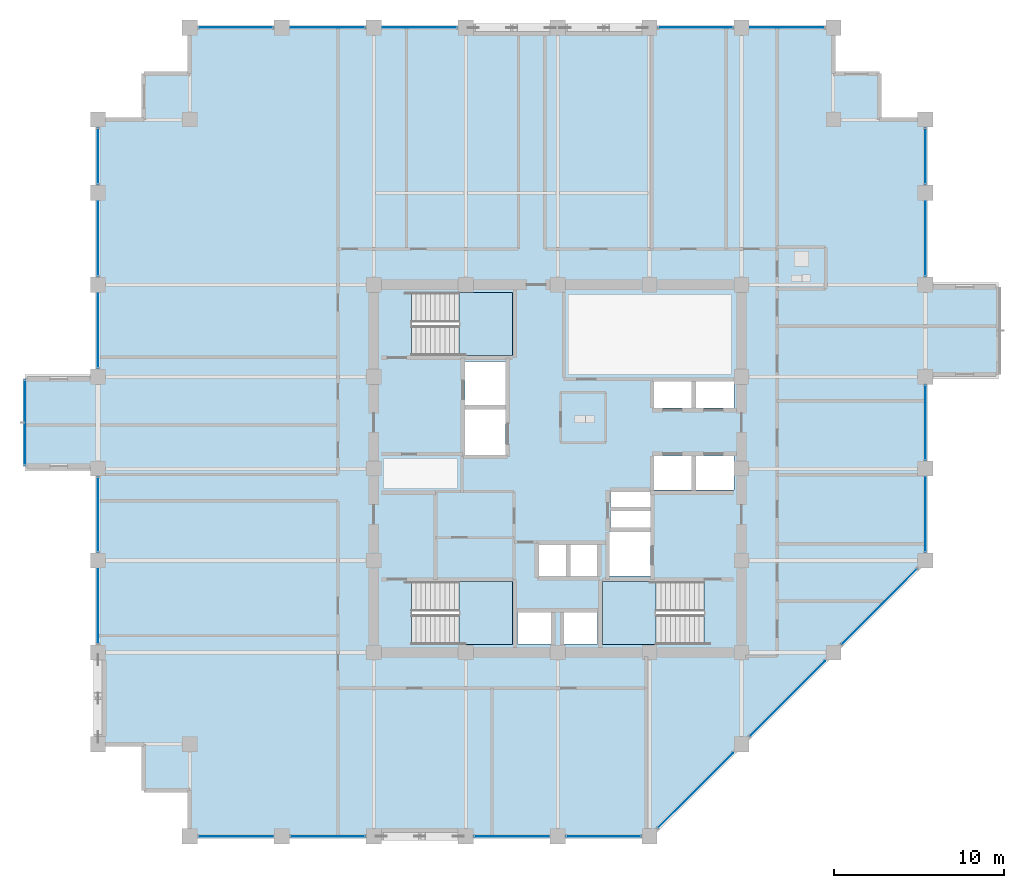
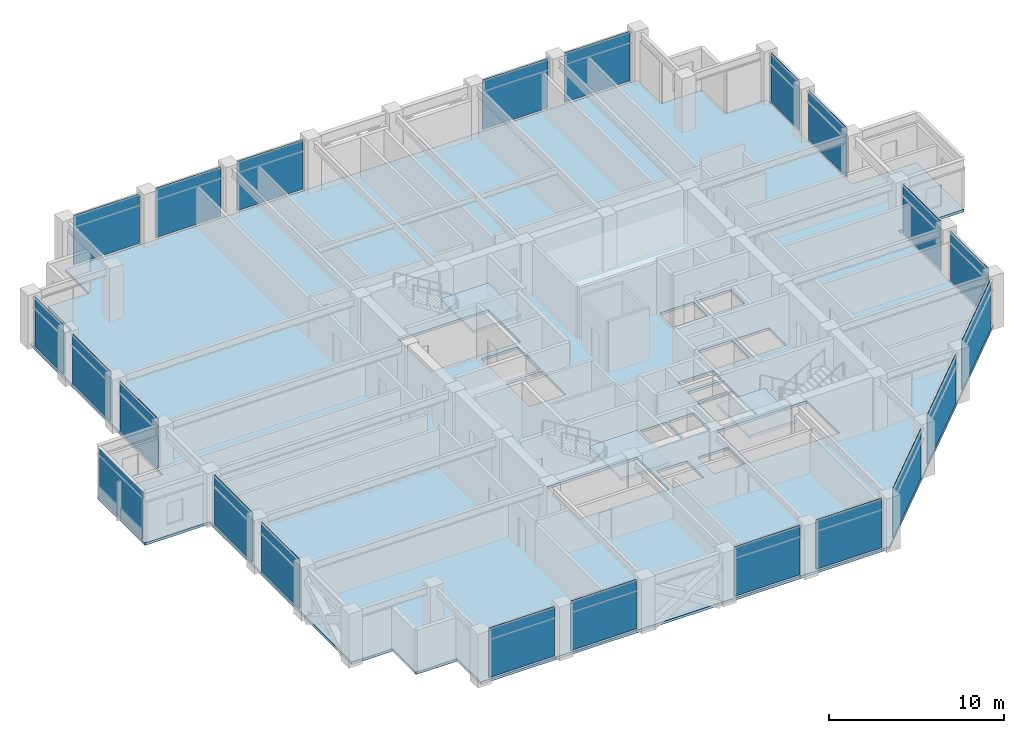
# One storey, part 21 of 28: 22 plates, 4 slabs, 13 elements without a shape of their own.
"""IFC4 building model written with IfcOpenShell, lengths in metres."""

import ifcopenshell
import ifcopenshell.guid

model = None  # the IFC model being written
_history = None  # IfcOwnerHistory: only IFC2X3 demands one
_inside = {}  # id of a spatial element -> (the spatial element, [elements in it])
_under = {}  # id of a project, library or spatial element -> (it, [spatial elements below it])
_declared = {}  # id of a project -> (the project, [libraries it declares])
_typed = {}  # id of a type object -> (the type object, [elements of that type])
_made_of = {}  # id of a material, layer set ... -> (it, [elements and type objects made of it])


def new_model(schema):
    """Start an empty IFC model of exactly this schema.

    Asked for "IFC4X3", IfcOpenShell would pick the latest addendum, in which some entities
    have other attributes; the version numbers below select the first issue.
    IFC2X3 requires an IfcOwnerHistory on every rooted entity: one is made here for all.
    """
    global model, _history
    if schema == "IFC4X3":
        model = ifcopenshell.file(schema_version=(4, 3, 0, 0))
    else:
        model = ifcopenshell.file(schema=schema)
    _inside.clear()
    _under.clear()
    _declared.clear()
    _typed.clear()
    _made_of.clear()
    _history = None
    if model.schema == "IFC2X3":
        org = make("IfcOrganization", Name="unknown")
        user = make(
            "IfcPersonAndOrganization",
            ThePerson=make("IfcPerson", FamilyName="unknown"),
            TheOrganization=org,
        )
        app = make(
            "IfcApplication",
            ApplicationDeveloper=org,
            Version="unknown",
            ApplicationFullName="unknown",
            ApplicationIdentifier="unknown",
        )
        _history = make(
            "IfcOwnerHistory",
            OwningUser=user,
            OwningApplication=app,
            ChangeAction="ADDED",
            CreationDate=0,
        )
    return model


def make(cls, **values):
    """One entity of the class cls with the attributes given. An attribute that is None is left unset."""
    return model.create_entity(
        cls, **{name: value for name, value in values.items() if value is not None}
    )


def rooted(cls, **values):
    """An entity with a GlobalId (a new one), such as an element, a storey or a relation."""
    return make(cls, GlobalId=ifcopenshell.guid.new(), OwnerHistory=_history, **values)


def si_unit(unit_type, name, prefix=None):
    """IfcSIUnit, for example si_unit("LENGTHUNIT", "METRE", prefix="MILLI")."""
    return make("IfcSIUnit", UnitType=unit_type, Prefix=prefix, Name=name)


def assignment(units):
    """IfcUnitAssignment: the units of a project."""
    return None if units is None else make("IfcUnitAssignment", Units=units)


def point(xyz):
    """IfcCartesianPoint."""
    return None if xyz is None else make("IfcCartesianPoint", Coordinates=xyz)


def direction(xyz):
    """IfcDirection."""
    return None if xyz is None else make("IfcDirection", DirectionRatios=xyz)


def frame(location, z_axis=None, x_axis=None):
    """IfcAxis2Placement3D, a coordinate frame: its origin and axes. An axis left out is left unset."""
    return make(
        "IfcAxis2Placement3D",
        Location=point(location),
        Axis=direction(z_axis),
        RefDirection=direction(x_axis),
    )


def frame_2d(location, x_axis=None):
    """IfcAxis2Placement2D, a coordinate frame in the plane: its origin and x axis."""
    return make(
        "IfcAxis2Placement2D", Location=point(location), RefDirection=direction(x_axis)
    )


def origin():
    """The frame at (0, 0, 0) with its axes left unset."""
    return frame((0.0, 0.0, 0.0))


def place(relative_to, where):
    """IfcLocalPlacement: puts the frame where relative to a parent placement (None: the world)."""
    return make(
        "IfcLocalPlacement", PlacementRelTo=relative_to, RelativePlacement=where
    )


def context(
    kind, dimensions, precision=None, world=None, true_north=None, identifier=None
):
    """IfcGeometricRepresentationContext, for example the 3D "Model" context."""
    return make(
        "IfcGeometricRepresentationContext",
        ContextIdentifier=identifier,
        ContextType=kind,
        CoordinateSpaceDimension=dimensions,
        Precision=precision,
        WorldCoordinateSystem=world,
        TrueNorth=true_north,
    )


def subcontext(parent, identifier, kind, view, scale=None):
    """IfcGeometricRepresentationSubContext, for example "Body" below "Model"."""
    return make(
        "IfcGeometricRepresentationSubContext",
        ContextIdentifier=identifier,
        ContextType=kind,
        ParentContext=parent,
        TargetScale=scale,
        TargetView=view,
    )


def project(units=None, contexts=None):
    """IfcProject with its units and contexts."""
    return rooted(
        "IfcProject",
        Name="project",
        RepresentationContexts=contexts,
        UnitsInContext=assignment(units),
    )


def spatial(cls, under=None, at=None, **own):
    """A site, building, storey or space (cls), placed at a placement, below another one or the project."""
    s = rooted(cls, ObjectPlacement=at, **own)
    if under is not None:
        _under.setdefault(under.id(), (under, []))[1].append(s)
    return s


def polyline(points):
    """IfcPolyline through the points."""
    return make("IfcPolyline", Points=[point(p) for p in points])


def profile(cls, at=None, kind="AREA", **sizes):
    """A parametric profile (cls). Its sizes go by their IFC names, for example OverallWidth=200.0."""
    return make(cls, ProfileType=kind, Position=at, **sizes)


def rectangle(**sizes):
    """IfcRectangleProfileDef."""
    return profile("IfcRectangleProfileDef", **sizes)


def outline(outer, holes=None, kind="AREA"):
    """IfcArbitraryClosedProfileDef: a profile drawn as a closed curve; with holes, ...WithVoids."""
    if holes is None:
        return make("IfcArbitraryClosedProfileDef", ProfileType=kind, OuterCurve=outer)
    return make(
        "IfcArbitraryProfileDefWithVoids",
        ProfileType=kind,
        OuterCurve=outer,
        InnerCurves=holes,
    )


def extrude(swept, where, along, depth):
    """IfcExtrudedAreaSolid: the profile swept, set in the frame where, extruded along a direction by depth."""
    return make(
        "IfcExtrudedAreaSolid",
        SweptArea=swept,
        Position=where,
        ExtrudedDirection=direction(along),
        Depth=depth,
    )


def shape(context_of_items, identifier, shape_type, items):
    """IfcShapeRepresentation: the items that make up one representation, for example the "Body"."""
    return make(
        "IfcShapeRepresentation",
        ContextOfItems=context_of_items,
        RepresentationIdentifier=identifier,
        RepresentationType=shape_type,
        Items=items,
    )


def material(Name=None, Category=None):
    """IfcMaterial."""
    return make("IfcMaterial", Name=Name, Category=Category)


def layer(
    of_material, thickness, ventilated=None, Name=None, Category=None, Priority=None
):
    """IfcMaterialLayer: one layer of a wall or slab, of a material (None: an air gap)."""
    return make(
        "IfcMaterialLayer",
        Material=of_material,
        LayerThickness=thickness,
        IsVentilated=ventilated,
        Name=Name,
        Category=Category,
        Priority=Priority,
    )


def layer_set(layers, Name=None):
    """IfcMaterialLayerSet."""
    return make("IfcMaterialLayerSet", MaterialLayers=layers, LayerSetName=Name)


def made_of(thing, what):
    """Note that an element or type object is made of a material, layer set ...; save() writes the relation."""
    if what is not None:
        _made_of.setdefault(what.id(), (what, []))[1].append(thing)
    return thing


def type_object(cls, material=None, **own):
    """A type object (cls), such as IfcWallType, which elements share."""
    return made_of(rooted(cls, **own), material)


def element(
    cls,
    number,
    at=None,
    inside=None,
    cuts=None,
    type_object=None,
    material=None,
    context=None,
    identifier="Body",
    shape_type=None,
    held_by="IfcProductDefinitionShape",
    body=None,
    shapes=None,
    **own,
):
    """One element of the class cls, such as IfcWall. Its Tag is "e" and its number.

    at: its placement. inside: the storey or other place that contains it. cuts: it is an
    opening in that element (IfcRelVoidsElement). A single representation is given by context,
    identifier, shape_type and body (its items); several are given by shapes. held_by: the class
    of the entity that holds the representations. save() writes the other relations.
    """
    e = rooted(cls, Tag="e%d" % number, ObjectPlacement=at, **own)
    if body is not None:
        shapes = [shape(context, identifier, shape_type, body)]
    if shapes is not None:
        e.Representation = make(held_by, Representations=shapes)
    if inside is not None:
        _inside.setdefault(inside.id(), (inside, []))[1].append(e)
    if cuts is not None:
        rooted(
            "IfcRelVoidsElement", RelatingBuildingElement=cuts, RelatedOpeningElement=e
        )
    if type_object is not None:
        _typed.setdefault(type_object.id(), (type_object, []))[1].append(e)
    return made_of(e, material)


def aggregate(whole, parts):
    """IfcRelAggregates: a whole, such as a stair, and the parts it consists of."""
    return rooted("IfcRelAggregates", RelatingObject=whole, RelatedObjects=parts)


def save(model, path):
    """Write the relations noted so far, then the file.

    IfcRelAggregates (storeys below a building ...), IfcRelContainedInSpatialStructure (elements
    in a storey), IfcRelDefinesByType, IfcRelAssociatesMaterial and IfcRelDeclares: one each for
    every whole, place, type object, material and project.
    """
    for whole, parts in _under.values():
        aggregate(whole, parts)
    for where, things in _inside.values():
        rooted(
            "IfcRelContainedInSpatialStructure",
            RelatedElements=things,
            RelatingStructure=where,
        )
    for kind, things in _typed.values():
        rooted("IfcRelDefinesByType", RelatedObjects=things, RelatingType=kind)
    for what, things in _made_of.values():
        rooted("IfcRelAssociatesMaterial", RelatedObjects=things, RelatingMaterial=what)
    for by, libraries in _declared.values():
        rooted("IfcRelDeclares", RelatingContext=by, RelatedDefinitions=libraries)
    model.write(path)


model = new_model("IFC4")

# Units and contexts
model_context = context("Model", 3, precision=1e-05, world=origin(), true_north=direction((0.0, 1.0)))
body_context = subcontext(model_context, "Body", "Model", "MODEL_VIEW")
ifc_project = project(units=[si_unit("LENGTHUNIT", "METRE"), si_unit("AREAUNIT", "SQUARE_METRE"), si_unit("VOLUMEUNIT", "CUBIC_METRE"), si_unit("PLANEANGLEUNIT", "RADIAN"), si_unit("MASSUNIT", "GRAM", prefix="KILO")], contexts=[model_context])

# Site, building, storey
site_placement = place(None, origin())
site = spatial("IfcSite", under=ifc_project, at=site_placement, CompositionType="ELEMENT")
building_placement = place(site_placement, origin())
building = spatial("IfcBuilding", under=site, at=building_placement, Name="Surkhivell Harbour Commons", CompositionType="ELEMENT")
storey_placement = place(building_placement, frame((0.0, 0.0, 174.75)))
storey = spatial("IfcBuildingStorey", under=building, at=storey_placement, Name="L45", CompositionType="ELEMENT", Elevation=174.75)

# Curtain wall, plate
ifc_material_1 = material(Name="Anodised pale-metal aluminium and insulated glazing", Category="aluminium")
ifc_layer_1 = layer(ifc_material_1, 0.1650390625)
ifc_layer_set_1 = layer_set([ifc_layer_1], Name="Anodised pale-metal aluminium and insulated glazing")
curtain_wall_type_1 = type_object("IfcCurtainWallType", Name="CW-SYS-BOX", PredefinedType="NOTDEFINED", material=ifc_layer_set_1)
curtain_wall_1_placement = place(storey_placement, origin())
curtain_wall_1 = element("IfcCurtainWall", 1, at=curtain_wall_1_placement, inside=storey, type_object=curtain_wall_type_1, Name="L45 Curtain Wall CW-L45-BOX02", PredefinedType="NOTDEFINED")
ifc_material_2 = material(Name="Triple-glazed bay-cluster vision glass", Category="glass")
ifc_layer_2 = layer(ifc_material_2, 0.028076171875)
ifc_layer_set_2 = layer_set([ifc_layer_2], Name="Triple-glazed bay-cluster vision glass")
plate_type_1 = type_object("IfcPlateType", Name="CWP-GLZ-28", PredefinedType="CURTAIN_PANEL", material=ifc_layer_set_2)
plate_1_placement = place(storey_placement, frame((-31.300048828125, 0.219970703125, 0.1298828125), z_axis=(0.0, 0.0, 1.0), x_axis=(0.0, 1.0, 0.0)))
plate_1 = element("IfcPlate", 2, at=plate_1_placement, type_object=plate_type_1, Name="CW-BOX panel 1.1", PredefinedType="CURTAIN_PANEL", context=body_context, shape_type="SweptSolid", body=[
    extrude(rectangle(XDim=4.9599609375, YDim=0.028076171875, at=frame_2d((2.47998046875, 0.0))), origin(), (0.0, 0.0, 1.0), 3.31005859375),
])
aggregate(curtain_wall_1, [plate_1])

# Curtain wall, plates
ifc_layer_3 = layer(ifc_material_1, 0.18994140625)
ifc_layer_set_3 = layer_set([ifc_layer_3], Name="Anodised pale-metal aluminium and insulated glazing")
curtain_wall_type_2 = type_object("IfcCurtainWallType", Name="CW-SYS-Z3", PredefinedType="NOTDEFINED", material=ifc_layer_set_3)
curtain_wall_2_placement = place(storey_placement, origin())
curtain_wall_2 = element("IfcCurtainWall", 3, at=curtain_wall_2_placement, inside=storey, type_object=curtain_wall_type_2, Name="L45 Curtain Wall CW-L45-E00S1", PredefinedType="NOTDEFINED")
ifc_material_3 = material(Name="High-pressure typhoon laminated vision glass", Category="glass")
ifc_layer_4 = layer(ifc_material_3, 0.035888671875)
ifc_layer_set_4 = layer_set([ifc_layer_4], Name="High-pressure typhoon laminated vision glass")
plate_type_2 = type_object("IfcPlateType", Name="CWP-GLZ-36", PredefinedType="CURTAIN_PANEL", material=ifc_layer_set_4)
plate_2_placement = place(storey_placement, frame((-21.072998046875, -21.60009765625, 0.1298828125), z_axis=(0.0, 0.0, 1.0), x_axis=(1.0, 0.0, 0.0)))
plate_2 = element("IfcPlate", 4, at=plate_2_placement, type_object=plate_type_2, Name="CW-Z3 panel 1.1", PredefinedType="CURTAIN_PANEL", context=body_context, shape_type="SweptSolid", body=[
    extrude(rectangle(XDim=4.345947265625, YDim=0.035888671875, at=frame_2d((2.1728515625, 0.0))), origin(), (0.0, 0.0, 1.0), 3.440185546875),
])
plate_3_placement = place(storey_placement, frame((-15.673095703125, -21.60009765625, 0.1298828125), z_axis=(0.0, 0.0, 1.0), x_axis=(1.0, 0.0, 0.0)))
plate_3 = element("IfcPlate", 5, at=plate_3_placement, type_object=plate_type_2, Name="CW-Z3 panel 2.1", PredefinedType="CURTAIN_PANEL", context=body_context, shape_type="SweptSolid", body=[
    extrude(rectangle(XDim=4.34619140625, YDim=0.035888671875, at=frame_2d((2.173095703125, 0.0))), origin(), (0.0, 0.0, 1.0), 3.440185546875),
])
aggregate(curtain_wall_2, [plate_2, plate_3])

curtain_wall_3_placement = place(storey_placement, origin())
curtain_wall_3 = element("IfcCurtainWall", 6, at=curtain_wall_3_placement, inside=storey, type_object=curtain_wall_type_2, Name="L45 Curtain Wall CW-L45-E00S2", PredefinedType="NOTDEFINED")
plate_4_placement = place(storey_placement, frame((-4.873046875, -21.60009765625, 0.1298828125), z_axis=(0.0, 0.0, 1.0), x_axis=(1.0, 0.0, 0.0)))
plate_4 = element("IfcPlate", 7, at=plate_4_placement, type_object=plate_type_2, Name="CW-Z3 panel 1.1", PredefinedType="CURTAIN_PANEL", context=body_context, shape_type="SweptSolid", body=[
    extrude(rectangle(XDim=4.345947265625, YDim=0.035888671875, at=frame_2d((2.1728515625, 0.0))), origin(), (0.0, 0.0, 1.0), 3.440185546875),
])
plate_5_placement = place(storey_placement, frame((0.527099609375, -21.60009765625, 0.1298828125), z_axis=(0.0, 0.0, 1.0), x_axis=(1.0, 0.0, 0.0)))
plate_5 = element("IfcPlate", 8, at=plate_5_placement, type_object=plate_type_2, Name="CW-Z3 panel 2.1", PredefinedType="CURTAIN_PANEL", context=body_context, shape_type="SweptSolid", body=[
    extrude(rectangle(XDim=4.345947265625, YDim=0.035888671875, at=frame_2d((2.1728515625, 0.0))), origin(), (0.0, 0.0, 1.0), 3.440185546875),
])
aggregate(curtain_wall_3, [plate_4, plate_5])

curtain_wall_4_placement = place(storey_placement, origin())
curtain_wall_4 = element("IfcCurtainWall", 9, at=curtain_wall_4_placement, inside=storey, type_object=curtain_wall_type_2, Name="L45 Curtain Wall CW-L45-E01", PredefinedType="NOTDEFINED")
plate_6_placement = place(storey_placement, frame((5.90478515625, -21.09521484375, 0.1298828125), z_axis=(0.0, 0.0, 1.0), x_axis=(0.707106781187, 0.707106781187, 0.0)))
plate_6 = element("IfcPlate", 10, at=plate_6_placement, type_object=plate_type_2, Name="CW-Z3 panel 1.1", PredefinedType="CURTAIN_PANEL", context=body_context, shape_type="SweptSolid", body=[
    extrude(rectangle(XDim=6.209228515625, YDim=0.035888671875, at=frame_2d((3.1044921875, 0.0))), origin(), (0.0, 0.0, 1.0), 3.440185546875),
])
plate_7_placement = place(storey_placement, frame((11.3046875, -15.6953125, 0.1298828125), z_axis=(0.0, 0.0, 1.0), x_axis=(0.707106781187, 0.707106781187, 0.0)))
plate_7 = element("IfcPlate", 11, at=plate_7_placement, type_object=plate_type_2, Name="CW-Z3 panel 2.1", PredefinedType="CURTAIN_PANEL", context=body_context, shape_type="SweptSolid", body=[
    extrude(rectangle(XDim=6.209228515625, YDim=0.035888671875, at=frame_2d((3.1044921875, 0.0))), origin(), (0.0, 0.0, 1.0), 3.440185546875),
])
plate_8_placement = place(storey_placement, frame((16.70458984375, -10.29541015625, 0.1298828125), z_axis=(0.0, 0.0, 1.0), x_axis=(0.707106781187, 0.707106781187, 0.0)))
plate_8 = element("IfcPlate", 12, at=plate_8_placement, type_object=plate_type_2, Name="CW-Z3 panel 3.1", PredefinedType="CURTAIN_PANEL", context=body_context, shape_type="SweptSolid", body=[
    extrude(rectangle(XDim=6.209228515625, YDim=0.035888671875, at=frame_2d((3.1044921875, 0.0))), origin(), (0.0, 0.0, 1.0), 3.440185546875),
])
aggregate(curtain_wall_4, [plate_6, plate_7, plate_8])

curtain_wall_5_placement = place(storey_placement, origin())
curtain_wall_5 = element("IfcCurtainWall", 13, at=curtain_wall_5_placement, inside=storey, type_object=curtain_wall_type_2, Name="L45 Curtain Wall CW-L45-E02R1", PredefinedType="NOTDEFINED")
plate_9_placement = place(storey_placement, frame((21.60009765625, -4.873046875, 0.1298828125), z_axis=(0.0, 0.0, 1.0), x_axis=(0.0, 1.0, 0.0)))
plate_9 = element("IfcPlate", 14, at=plate_9_placement, type_object=plate_type_2, Name="CW-Z3 panel 1.1", PredefinedType="CURTAIN_PANEL", context=body_context, shape_type="SweptSolid", body=[
    extrude(rectangle(XDim=4.345947265625, YDim=0.035888671875, at=frame_2d((2.1728515625, 0.0))), origin(), (0.0, 0.0, 1.0), 3.440185546875),
])
plate_10_placement = place(storey_placement, frame((21.60009765625, 0.527099609375, 0.1298828125), z_axis=(0.0, 0.0, 1.0), x_axis=(0.0, 1.0, 0.0)))
plate_10 = element("IfcPlate", 15, at=plate_10_placement, type_object=plate_type_2, Name="CW-Z3 panel 2.1", PredefinedType="CURTAIN_PANEL", context=body_context, shape_type="SweptSolid", body=[
    extrude(rectangle(XDim=4.345947265625, YDim=0.035888671875, at=frame_2d((2.1728515625, 0.0))), origin(), (0.0, 0.0, 1.0), 3.440185546875),
])
aggregate(curtain_wall_5, [plate_9, plate_10])

curtain_wall_6_placement = place(storey_placement, origin())
curtain_wall_6 = element("IfcCurtainWall", 16, at=curtain_wall_6_placement, inside=storey, type_object=curtain_wall_type_2, Name="L45 Curtain Wall CW-L45-E02R2", PredefinedType="NOTDEFINED")
plate_11_placement = place(storey_placement, frame((21.60009765625, 11.326904296875, 0.1298828125), z_axis=(0.0, 0.0, 1.0), x_axis=(0.0, 1.0, 0.0)))
plate_11 = element("IfcPlate", 17, at=plate_11_placement, type_object=plate_type_2, Name="CW-Z3 panel 1.1", PredefinedType="CURTAIN_PANEL", context=body_context, shape_type="SweptSolid", body=[
    extrude(rectangle(XDim=4.34619140625, YDim=0.035888671875, at=frame_2d((2.173095703125, 0.0))), origin(), (0.0, 0.0, 1.0), 3.440185546875),
])
plate_12_placement = place(storey_placement, frame((21.60009765625, 16.72705078125, 0.1298828125), z_axis=(0.0, 0.0, 1.0), x_axis=(0.0, 1.0, 0.0)))
plate_12 = element("IfcPlate", 18, at=plate_12_placement, type_object=plate_type_2, Name="CW-Z3 panel 2.1", PredefinedType="CURTAIN_PANEL", context=body_context, shape_type="SweptSolid", body=[
    extrude(rectangle(XDim=3.245849609375, YDim=0.035888671875, at=frame_2d((1.623046875, 0.0))), origin(), (0.0, 0.0, 1.0), 3.440185546875),
])
aggregate(curtain_wall_6, [plate_11, plate_12])

curtain_wall_7_placement = place(storey_placement, origin())
curtain_wall_7 = element("IfcCurtainWall", 19, at=curtain_wall_7_placement, inside=storey, type_object=curtain_wall_type_2, Name="L45 Curtain Wall CW-L45-E07S1", PredefinedType="NOTDEFINED")
plate_13_placement = place(storey_placement, frame((15.673095703125, 25.89990234375, 0.1298828125), z_axis=(0.0, 0.0, 1.0), x_axis=(-1.0, 0.0, 0.0)))
plate_13 = element("IfcPlate", 20, at=plate_13_placement, type_object=plate_type_2, Name="CW-Z3 panel 1.1", PredefinedType="CURTAIN_PANEL", context=body_context, shape_type="SweptSolid", body=[
    extrude(rectangle(XDim=4.34619140625, YDim=0.035888671875, at=frame_2d((2.173095703125, 0.0))), origin(), (0.0, 0.0, 1.0), 3.440185546875),
])
plate_14_placement = place(storey_placement, frame((10.27294921875, 25.89990234375, 0.1298828125), z_axis=(0.0, 0.0, 1.0), x_axis=(-1.0, 0.0, 0.0)))
plate_14 = element("IfcPlate", 21, at=plate_14_placement, type_object=plate_type_2, Name="CW-Z3 panel 2.1", PredefinedType="CURTAIN_PANEL", context=body_context, shape_type="SweptSolid", body=[
    extrude(rectangle(XDim=4.345947265625, YDim=0.035888671875, at=frame_2d((2.1728515625, 0.0))), origin(), (0.0, 0.0, 1.0), 3.440185546875),
])
aggregate(curtain_wall_7, [plate_13, plate_14])

curtain_wall_8_placement = place(storey_placement, origin())
curtain_wall_8 = element("IfcCurtainWall", 22, at=curtain_wall_8_placement, inside=storey, type_object=curtain_wall_type_2, Name="L45 Curtain Wall CW-L45-E07S2", PredefinedType="NOTDEFINED")
plate_15_placement = place(storey_placement, frame((-5.927001953125, 25.89990234375, 0.1298828125), z_axis=(0.0, 0.0, 1.0), x_axis=(-1.0, 0.0, 0.0)))
plate_15 = element("IfcPlate", 23, at=plate_15_placement, type_object=plate_type_2, Name="CW-Z3 panel 1.1", PredefinedType="CURTAIN_PANEL", context=body_context, shape_type="SweptSolid", body=[
    extrude(rectangle(XDim=4.345947265625, YDim=0.035888671875, at=frame_2d((2.1728515625, 0.0))), origin(), (0.0, 0.0, 1.0), 3.440185546875),
])
plate_16_placement = place(storey_placement, frame((-11.326904296875, 25.89990234375, 0.1298828125), z_axis=(0.0, 0.0, 1.0), x_axis=(-1.0, 0.0, 0.0)))
plate_16 = element("IfcPlate", 24, at=plate_16_placement, type_object=plate_type_2, Name="CW-Z3 panel 2.1", PredefinedType="CURTAIN_PANEL", context=body_context, shape_type="SweptSolid", body=[
    extrude(rectangle(XDim=4.34619140625, YDim=0.035888671875, at=frame_2d((2.173095703125, 0.0))), origin(), (0.0, 0.0, 1.0), 3.440185546875),
])
plate_17_placement = place(storey_placement, frame((-16.72705078125, 25.89990234375, 0.1298828125), z_axis=(0.0, 0.0, 1.0), x_axis=(-1.0, 0.0, 0.0)))
plate_17 = element("IfcPlate", 25, at=plate_17_placement, type_object=plate_type_2, Name="CW-Z3 panel 3.1", PredefinedType="CURTAIN_PANEL", context=body_context, shape_type="SweptSolid", body=[
    extrude(rectangle(XDim=4.345947265625, YDim=0.035888671875, at=frame_2d((2.1728515625, 0.0))), origin(), (0.0, 0.0, 1.0), 3.440185546875),
])
aggregate(curtain_wall_8, [plate_15, plate_16, plate_17])

curtain_wall_9_placement = place(storey_placement, origin())
curtain_wall_9 = element("IfcCurtainWall", 26, at=curtain_wall_9_placement, inside=storey, type_object=curtain_wall_type_2, Name="L45 Curtain Wall CW-L45-E12R1S1", PredefinedType="NOTDEFINED")
plate_18_placement = place(storey_placement, frame((-27.0, -10.27294921875, 0.1298828125), z_axis=(0.0, 0.0, 1.0), x_axis=(0.0, 1.0, 0.0)))
plate_18 = element("IfcPlate", 27, at=plate_18_placement, type_object=plate_type_2, Name="CW-Z3 panel 1.1", PredefinedType="CURTAIN_PANEL", context=body_context, shape_type="SweptSolid", body=[
    extrude(rectangle(XDim=4.345947265625, YDim=0.035888671875, at=frame_2d((2.1728515625, 0.0))), origin(), (0.0, 0.0, 1.0), 3.440185546875),
])
plate_19_placement = place(storey_placement, frame((-27.0, -4.873046875, 0.1298828125), z_axis=(0.0, 0.0, 1.0), x_axis=(0.0, 1.0, 0.0)))
plate_19 = element("IfcPlate", 28, at=plate_19_placement, type_object=plate_type_2, Name="CW-Z3 panel 2.1", PredefinedType="CURTAIN_PANEL", context=body_context, shape_type="SweptSolid", body=[
    extrude(rectangle(XDim=4.345947265625, YDim=0.035888671875, at=frame_2d((2.1728515625, 0.0))), origin(), (0.0, 0.0, 1.0), 3.440185546875),
])
aggregate(curtain_wall_9, [plate_18, plate_19])

curtain_wall_10_placement = place(storey_placement, origin())
curtain_wall_10 = element("IfcCurtainWall", 29, at=curtain_wall_10_placement, inside=storey, type_object=curtain_wall_type_2, Name="L45 Curtain Wall CW-L45-E12R2", PredefinedType="NOTDEFINED")
plate_20_placement = place(storey_placement, frame((-27.0, 5.927001953125, 0.1298828125), z_axis=(0.0, 0.0, 1.0), x_axis=(0.0, 1.0, 0.0)))
plate_20 = element("IfcPlate", 30, at=plate_20_placement, type_object=plate_type_2, Name="CW-Z3 panel 1.1", PredefinedType="CURTAIN_PANEL", context=body_context, shape_type="SweptSolid", body=[
    extrude(rectangle(XDim=4.345947265625, YDim=0.035888671875, at=frame_2d((2.1728515625, 0.0))), origin(), (0.0, 0.0, 1.0), 3.440185546875),
])
plate_21_placement = place(storey_placement, frame((-27.0, 11.326904296875, 0.1298828125), z_axis=(0.0, 0.0, 1.0), x_axis=(0.0, 1.0, 0.0)))
plate_21 = element("IfcPlate", 31, at=plate_21_placement, type_object=plate_type_2, Name="CW-Z3 panel 2.1", PredefinedType="CURTAIN_PANEL", context=body_context, shape_type="SweptSolid", body=[
    extrude(rectangle(XDim=4.34619140625, YDim=0.035888671875, at=frame_2d((2.173095703125, 0.0))), origin(), (0.0, 0.0, 1.0), 3.440185546875),
])
plate_22_placement = place(storey_placement, frame((-27.0, 16.72705078125, 0.1298828125), z_axis=(0.0, 0.0, 1.0), x_axis=(0.0, 1.0, 0.0)))
plate_22 = element("IfcPlate", 32, at=plate_22_placement, type_object=plate_type_2, Name="CW-Z3 panel 3.1", PredefinedType="CURTAIN_PANEL", context=body_context, shape_type="SweptSolid", body=[
    extrude(rectangle(XDim=3.245849609375, YDim=0.035888671875, at=frame_2d((1.623046875, 0.0))), origin(), (0.0, 0.0, 1.0), 3.440185546875),
])
aggregate(curtain_wall_10, [plate_20, plate_21, plate_22])

# Stair, slab
ifc_material_4 = material(Name="Precast concrete C45/55", Category="concrete")
stair_type = type_object("IfcStairType", Name="STR-DL-375", PredefinedType="HALF_TURN_STAIR", material=ifc_material_4)
stair_1_placement = place(storey_placement, origin())
stair_1 = element("IfcStair", 33, at=stair_1_placement, inside=storey, type_object=stair_type, Name="L45 Core Exit Stair ST1", PredefinedType="HALF_TURN_STAIR")
ifc_material_5 = material(Name="Reinforced concrete C45/55", Category="concrete")
ifc_layer_5 = layer(ifc_material_5, 0.199951171875)
ifc_layer_set_5 = layer_set([ifc_layer_5], Name="Reinforced concrete C45/55")
slab_type_1 = type_object("IfcSlabType", Name="SLB-ST-LND200", PredefinedType="LANDING", material=ifc_layer_set_5)
slab_1_placement = place(storey_placement, frame((0.0, 0.0, 1.675048828125)))
slab_1 = element("IfcSlab", 34, at=slab_1_placement, type_object=slab_type_1, Name="ST1 landing 1", PredefinedType="LANDING", context=body_context, shape_type="SweptSolid", body=[
    extrude(outline(polyline([(-5.7900390625, 6.639892578125), (-2.639892578125, 6.639892578125), (-2.639892578125, 10.340087890625), (-5.7900390625, 10.340087890625), (-5.7900390625, 6.639892578125)])), origin(), (0.0, 0.0, 1.0), 0.199951171875),
])
aggregate(stair_1, [slab_1])

stair_2_placement = place(storey_placement, origin())
stair_2 = element("IfcStair", 35, at=stair_2_placement, inside=storey, type_object=stair_type, Name="L45 Core Exit Stair ST2", PredefinedType="HALF_TURN_STAIR")
slab_2_placement = place(storey_placement, frame((0.0, 0.0, 1.675048828125)))
slab_2 = element("IfcSlab", 36, at=slab_2_placement, type_object=slab_type_1, Name="ST2 landing 1", PredefinedType="LANDING", context=body_context, shape_type="SweptSolid", body=[
    extrude(outline(polyline([(5.7900390625, -6.639892578125), (2.639892578125, -6.639892578125), (2.639892578125, -10.340087890625), (5.7900390625, -10.340087890625), (5.7900390625, -6.639892578125)])), origin(), (0.0, 0.0, 1.0), 0.199951171875),
])
aggregate(stair_2, [slab_2])

stair_3_placement = place(storey_placement, origin())
stair_3 = element("IfcStair", 37, at=stair_3_placement, inside=storey, type_object=stair_type, Name="L45 Core Exit Stair ST3", PredefinedType="HALF_TURN_STAIR")
slab_3_placement = place(storey_placement, frame((0.0, 0.0, 1.675048828125)))
slab_3 = element("IfcSlab", 38, at=slab_3_placement, type_object=slab_type_1, Name="ST3 landing 1", PredefinedType="LANDING", context=body_context, shape_type="SweptSolid", body=[
    extrude(outline(polyline([(-5.7900390625, -10.340087890625), (-2.639892578125, -10.340087890625), (-2.639892578125, -6.639892578125), (-5.7900390625, -6.639892578125), (-5.7900390625, -10.340087890625)])), origin(), (0.0, 0.0, 1.0), 0.199951171875),
])
aggregate(stair_3, [slab_3])

# Slab
ifc_material_6 = material(Name="Concrete C45/55", Category="concrete")
ifc_layer_6 = layer(ifc_material_6, 0.179931640625)
ifc_layer_set_6 = layer_set([ifc_layer_6], Name="Concrete C45/55")
slab_type_2 = type_object("IfcSlabType", Name="SLB-TYP-180", PredefinedType="FLOOR", material=ifc_layer_set_6)
slab_4_placement = place(storey_placement, frame((0.0, 0.0, -0.179931640625)))
element("IfcSlab", 39, at=slab_4_placement, inside=storey, type_object=slab_type_2, Name="L45 Structural Floor Slab", PredefinedType="FLOOR", context=body_context, shape_type="SweptSolid", body=[
    extrude(outline(polyline([(-27.0, 20.5), (-27.0, 5.39990234375), (-31.300048828125, 5.39990234375), (-31.300048828125, 0.0), (-27.0, 0.0), (-27.0, -16.199951171875), (-24.300048828125, -16.199951171875), (-24.300048828125, -18.89990234375), (-21.60009765625, -18.89990234375), (-21.60009765625, -21.60009765625), (5.39990234375, -21.60009765625), (21.60009765625, -5.39990234375), (21.60009765625, 5.39990234375), (25.89990234375, 5.39990234375), (25.89990234375, 10.800048828125), (21.60009765625, 10.800048828125), (21.60009765625, 20.5), (18.89990234375, 20.5), (18.89990234375, 23.199951171875), (16.199951171875, 23.199951171875), (16.199951171875, 25.89990234375), (-21.60009765625, 25.89990234375), (-21.60009765625, 23.199951171875), (-24.300048828125, 23.199951171875), (-24.300048828125, 20.5), (-27.0, 20.5)]), holes=[polyline([(-8.590087890625, 6.639892578125), (-2.639892578125, 6.639892578125), (-2.639892578125, 10.340087890625), (-8.590087890625, 10.340087890625), (-8.590087890625, 6.639892578125)]), polyline([(8.590087890625, -6.639892578125), (2.639892578125, -6.639892578125), (2.639892578125, -10.340087890625), (8.590087890625, -10.340087890625), (8.590087890625, -6.639892578125)]), polyline([(-8.590087890625, -10.340087890625), (-2.639892578125, -10.340087890625), (-2.639892578125, -6.639892578125), (-8.590087890625, -6.639892578125), (-8.590087890625, -10.340087890625)]), polyline([(5.64990234375, 3.550048828125), (7.89990234375, 3.550048828125), (7.89990234375, 5.14990234375), (5.64990234375, 5.14990234375), (5.64990234375, 3.550048828125)]), polyline([(8.10009765625, 3.550048828125), (10.35009765625, 3.550048828125), (10.35009765625, 5.14990234375), (8.10009765625, 5.14990234375), (8.10009765625, 3.550048828125)]), polyline([(5.64990234375, -1.25), (7.89990234375, -1.25), (7.89990234375, 0.75), (5.64990234375, 0.75), (5.64990234375, -1.25)]), polyline([(8.10009765625, -1.25), (10.35009765625, -1.25), (10.35009765625, 0.75), (8.10009765625, 0.75), (8.10009765625, -1.25)]), polyline([(-1.14990234375, -6.35009765625), (0.550048828125, -6.35009765625), (0.550048828125, -4.449951171875), (-1.14990234375, -4.449951171875), (-1.14990234375, -6.35009765625)]), polyline([(0.679931640625, -6.35009765625), (2.3798828125, -6.35009765625), (2.3798828125, -4.449951171875), (0.679931640625, -4.449951171875), (0.679931640625, -6.35009765625)]), polyline([(-2.35009765625, -10.300048828125), (-0.35009765625, -10.300048828125), (-0.35009765625, -8.39990234375), (-2.35009765625, -8.39990234375), (-2.35009765625, -10.300048828125)]), polyline([(0.35009765625, -10.300048828125), (2.35009765625, -10.300048828125), (2.35009765625, -8.39990234375), (0.35009765625, -8.39990234375), (0.35009765625, -10.300048828125)]), polyline([(-5.449951171875, 3.699951171875), (-3.050048828125, 3.699951171875), (-3.050048828125, 6.300048828125), (-5.449951171875, 6.300048828125), (-5.449951171875, 3.699951171875)]), polyline([(3.050048828125, -6.300048828125), (5.449951171875, -6.300048828125), (5.449951171875, -3.699951171875), (3.050048828125, -3.699951171875), (3.050048828125, -6.300048828125)]), polyline([(-5.449951171875, 0.800048828125), (-3.050048828125, 0.800048828125), (-3.050048828125, 3.5), (-5.449951171875, 3.5), (-5.449951171875, 0.800048828125)]), polyline([(3.10009765625, -3.550048828125), (5.449951171875, -3.550048828125), (5.449951171875, -2.47998046875), (3.10009765625, -2.47998046875), (3.10009765625, -3.550048828125)]), polyline([(3.10009765625, -2.280029296875), (5.449951171875, -2.280029296875), (5.449951171875, -1.35009765625), (3.10009765625, -1.35009765625), (3.10009765625, -2.280029296875)])]), origin(), (0.0, 0.0, 1.0), 0.179931640625),
])

save(model, "model.ifc")
